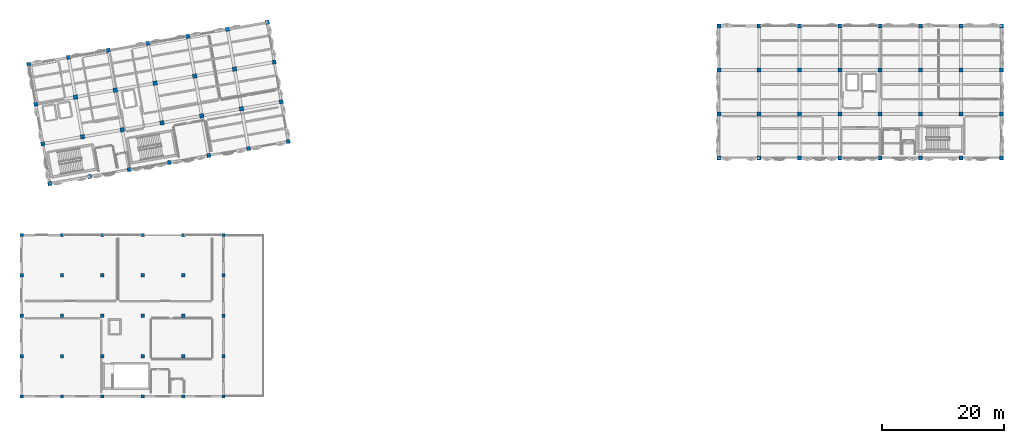
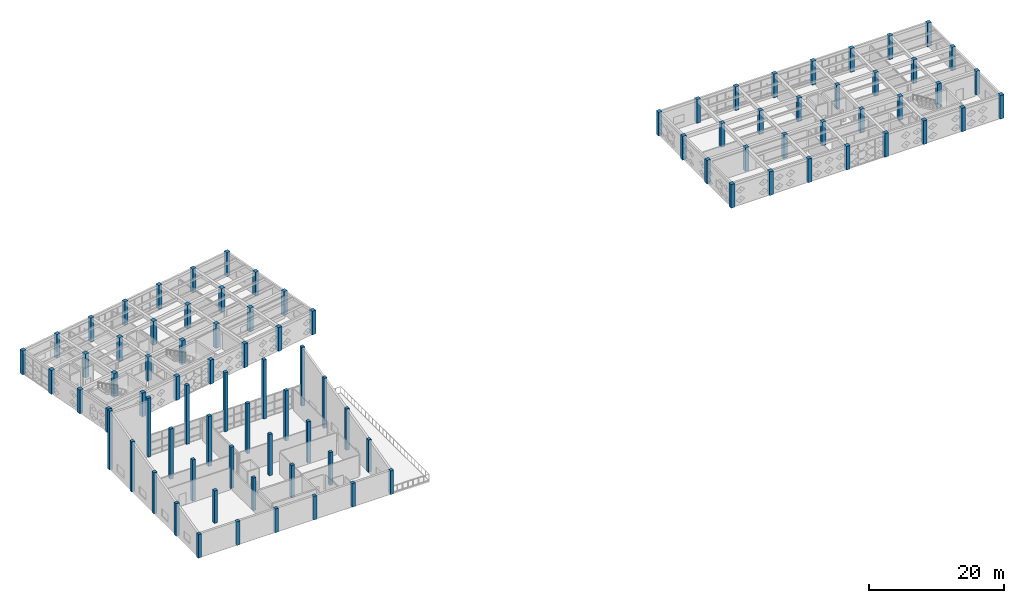
# One storey, part 1 of 39: 90 columns.
"""IFC4 building model written with IfcOpenShell, lengths in metres."""

from ifc_helpers import new_model, si_unit, direction, frame, origin, origin_2d, place, context, subcontext, project, spatial, rectangle, extrude, material, material_profile, profile_set, type_object, element, save


model = new_model("IFC4")

# Units and contexts
model_context = context("Model", 3, precision=1e-05, world=origin(), true_north=direction((0.0, 1.0)))
body_context = subcontext(model_context, "Body", "Model", "MODEL_VIEW")
ifc_project = project(units=[si_unit("LENGTHUNIT", "METRE"), si_unit("AREAUNIT", "SQUARE_METRE"), si_unit("VOLUMEUNIT", "CUBIC_METRE"), si_unit("PLANEANGLEUNIT", "RADIAN"), si_unit("MASSUNIT", "GRAM", prefix="KILO")], contexts=[model_context])

# Site, building, storey
site_placement = place(None, origin())
site = spatial("IfcSite", under=ifc_project, at=site_placement, CompositionType="ELEMENT")
building_placement = place(site_placement, origin())
building = spatial("IfcBuilding", under=site, at=building_placement, Name="Kharisveld Research Institute", CompositionType="ELEMENT")
storey_placement = place(building_placement, frame((0.0, 0.0, 18.60009765625)))
storey = spatial("IfcBuildingStorey", under=building, at=storey_placement, Name="L04", CompositionType="ELEMENT", Elevation=18.60009765625)

# Columns
ifc_material_1 = material(Name="Concrete C40/50", Category="concrete")
ifc_material_profile_1 = material_profile(ifc_material_1, rectangle(XDim=0.550048828125, YDim=0.550048828125, at=origin_2d()))
ifc_profile_set_1 = profile_set([ifc_material_profile_1], Name="Concrete C40/50")
column_type_1 = type_object("IfcColumnType", Name="COL_RC_550", PredefinedType="COLUMN", material=ifc_profile_set_1)
column_1_placement = place(storey_placement, frame((0.60009765625, 0.199951171875, 0.0), z_axis=(0.0, 0.0, 1.0), x_axis=(1.0, 0.0, 0.0)))
element("IfcColumn", 1, at=column_1_placement, inside=storey, type_object=column_type_1, Name="COL:V3:L04:U0V0", PredefinedType="COLUMN", context=body_context, shape_type="SweptSolid", body=[
    extrude(rectangle(XDim=0.550048828125, YDim=0.550048828125, at=origin_2d()), origin(), (0.0, 0.0, 1.0), 4.304931640625),
])
column_2_placement = place(storey_placement, frame((0.60009765625, 6.800048828125, 0.0), z_axis=(0.0, 0.0, 1.0), x_axis=(1.0, 0.0, 0.0)))
element("IfcColumn", 2, at=column_2_placement, inside=storey, type_object=column_type_1, Name="COL:V3:L04:U0V1", PredefinedType="COLUMN", context=body_context, shape_type="SweptSolid", body=[
    extrude(rectangle(XDim=0.550048828125, YDim=0.550048828125, at=origin_2d()), origin(), (0.0, 0.0, 1.0), 5.90478515625),
])
column_3_placement = place(storey_placement, frame((0.60009765625, 13.39990234375, 0.0), z_axis=(0.0, 0.0, 1.0), x_axis=(1.0, 0.0, 0.0)))
element("IfcColumn", 3, at=column_3_placement, inside=storey, type_object=column_type_1, Name="COL:V3:L04:U0V2", PredefinedType="COLUMN", context=body_context, shape_type="SweptSolid", body=[
    extrude(rectangle(XDim=0.550048828125, YDim=0.550048828125, at=origin_2d()), origin(), (0.0, 0.0, 1.0), 7.5048828125),
])
column_4_placement = place(storey_placement, frame((0.60009765625, 20.0, 0.0), z_axis=(0.0, 0.0, 1.0), x_axis=(1.0, 0.0, 0.0)))
element("IfcColumn", 4, at=column_4_placement, inside=storey, type_object=column_type_1, Name="COL:V3:L04:U0V3", PredefinedType="COLUMN", context=body_context, shape_type="SweptSolid", body=[
    extrude(rectangle(XDim=0.550048828125, YDim=0.550048828125, at=origin_2d()), origin(), (0.0, 0.0, 1.0), 9.10498046875),
])
column_5_placement = place(storey_placement, frame((0.60009765625, 26.60009765625, 0.0), z_axis=(0.0, 0.0, 1.0), x_axis=(1.0, 0.0, 0.0)))
element("IfcColumn", 5, at=column_5_placement, inside=storey, type_object=column_type_1, Name="COL:V3:L04:U0V4", PredefinedType="COLUMN", context=body_context, shape_type="SweptSolid", body=[
    extrude(rectangle(XDim=0.550048828125, YDim=0.550048828125, at=origin_2d()), origin(), (0.0, 0.0, 1.0), 10.704833984375),
])
column_6_placement = place(storey_placement, frame((7.199951171875, 0.199951171875, 0.0), z_axis=(0.0, 0.0, 1.0), x_axis=(1.0, 0.0, 0.0)))
element("IfcColumn", 6, at=column_6_placement, inside=storey, type_object=column_type_1, Name="COL:V3:L04:U1V0", PredefinedType="COLUMN", context=body_context, shape_type="SweptSolid", body=[
    extrude(rectangle(XDim=0.550048828125, YDim=0.550048828125, at=origin_2d()), origin(), (0.0, 0.0, 1.0), 4.304931640625),
])
column_7_placement = place(storey_placement, frame((7.199951171875, 6.800048828125, 0.0), z_axis=(0.0, 0.0, 1.0), x_axis=(1.0, 0.0, 0.0)))
element("IfcColumn", 7, at=column_7_placement, inside=storey, type_object=column_type_1, Name="COL:V3:L04:U1V1", PredefinedType="COLUMN", context=body_context, shape_type="SweptSolid", body=[
    extrude(rectangle(XDim=0.550048828125, YDim=0.550048828125, at=origin_2d()), origin(), (0.0, 0.0, 1.0), 5.90478515625),
])
column_8_placement = place(storey_placement, frame((7.199951171875, 13.39990234375, 0.0), z_axis=(0.0, 0.0, 1.0), x_axis=(1.0, 0.0, 0.0)))
element("IfcColumn", 8, at=column_8_placement, inside=storey, type_object=column_type_1, Name="COL:V3:L04:U1V2", PredefinedType="COLUMN", context=body_context, shape_type="SweptSolid", body=[
    extrude(rectangle(XDim=0.550048828125, YDim=0.550048828125, at=origin_2d()), origin(), (0.0, 0.0, 1.0), 7.5048828125),
])
column_9_placement = place(storey_placement, frame((7.199951171875, 20.0, 0.0), z_axis=(0.0, 0.0, 1.0), x_axis=(1.0, 0.0, 0.0)))
element("IfcColumn", 9, at=column_9_placement, inside=storey, type_object=column_type_1, Name="COL:V3:L04:U1V3", PredefinedType="COLUMN", context=body_context, shape_type="SweptSolid", body=[
    extrude(rectangle(XDim=0.550048828125, YDim=0.550048828125, at=origin_2d()), origin(), (0.0, 0.0, 1.0), 9.10498046875),
])
column_10_placement = place(storey_placement, frame((7.199951171875, 26.60009765625, 0.0), z_axis=(0.0, 0.0, 1.0), x_axis=(1.0, 0.0, 0.0)))
element("IfcColumn", 10, at=column_10_placement, inside=storey, type_object=column_type_1, Name="COL:V3:L04:U1V4", PredefinedType="COLUMN", context=body_context, shape_type="SweptSolid", body=[
    extrude(rectangle(XDim=0.550048828125, YDim=0.550048828125, at=origin_2d()), origin(), (0.0, 0.0, 1.0), 10.704833984375),
])
column_11_placement = place(storey_placement, frame((13.800048828125, 0.199951171875, 0.0), z_axis=(0.0, 0.0, 1.0), x_axis=(1.0, 0.0, 0.0)))
element("IfcColumn", 11, at=column_11_placement, inside=storey, type_object=column_type_1, Name="COL:V3:L04:U2V0", PredefinedType="COLUMN", context=body_context, shape_type="SweptSolid", body=[
    extrude(rectangle(XDim=0.550048828125, YDim=0.550048828125, at=origin_2d()), origin(), (0.0, 0.0, 1.0), 4.304931640625),
])
column_12_placement = place(storey_placement, frame((13.800048828125, 6.800048828125, 0.0), z_axis=(0.0, 0.0, 1.0), x_axis=(1.0, 0.0, 0.0)))
element("IfcColumn", 12, at=column_12_placement, inside=storey, type_object=column_type_1, Name="COL:V3:L04:U2V1", PredefinedType="COLUMN", context=body_context, shape_type="SweptSolid", body=[
    extrude(rectangle(XDim=0.550048828125, YDim=0.550048828125, at=origin_2d()), origin(), (0.0, 0.0, 1.0), 5.90478515625),
])
column_13_placement = place(storey_placement, frame((13.800048828125, 13.39990234375, 0.0), z_axis=(0.0, 0.0, 1.0), x_axis=(1.0, 0.0, 0.0)))
element("IfcColumn", 13, at=column_13_placement, inside=storey, type_object=column_type_1, Name="COL:V3:L04:U2V2", PredefinedType="COLUMN", context=body_context, shape_type="SweptSolid", body=[
    extrude(rectangle(XDim=0.550048828125, YDim=0.550048828125, at=origin_2d()), origin(), (0.0, 0.0, 1.0), 7.5048828125),
])
column_14_placement = place(storey_placement, frame((13.800048828125, 20.0, 0.0), z_axis=(0.0, 0.0, 1.0), x_axis=(1.0, 0.0, 0.0)))
element("IfcColumn", 14, at=column_14_placement, inside=storey, type_object=column_type_1, Name="COL:V3:L04:U2V3", PredefinedType="COLUMN", context=body_context, shape_type="SweptSolid", body=[
    extrude(rectangle(XDim=0.550048828125, YDim=0.550048828125, at=origin_2d()), origin(), (0.0, 0.0, 1.0), 9.10498046875),
])
column_15_placement = place(storey_placement, frame((13.800048828125, 26.60009765625, 0.0), z_axis=(0.0, 0.0, 1.0), x_axis=(1.0, 0.0, 0.0)))
element("IfcColumn", 15, at=column_15_placement, inside=storey, type_object=column_type_1, Name="COL:V3:L04:U2V4", PredefinedType="COLUMN", context=body_context, shape_type="SweptSolid", body=[
    extrude(rectangle(XDim=0.550048828125, YDim=0.550048828125, at=origin_2d()), origin(), (0.0, 0.0, 1.0), 10.704833984375),
])
column_16_placement = place(storey_placement, frame((20.39990234375, 0.199951171875, 0.0), z_axis=(0.0, 0.0, 1.0), x_axis=(1.0, 0.0, 0.0)))
element("IfcColumn", 16, at=column_16_placement, inside=storey, type_object=column_type_1, Name="COL:V3:L04:U3V0", PredefinedType="COLUMN", context=body_context, shape_type="SweptSolid", body=[
    extrude(rectangle(XDim=0.550048828125, YDim=0.550048828125, at=origin_2d()), origin(), (0.0, 0.0, 1.0), 4.304931640625),
])
column_17_placement = place(storey_placement, frame((20.39990234375, 6.800048828125, 0.0), z_axis=(0.0, 0.0, 1.0), x_axis=(1.0, 0.0, 0.0)))
element("IfcColumn", 17, at=column_17_placement, inside=storey, type_object=column_type_1, Name="COL:V3:L04:U3V1", PredefinedType="COLUMN", context=body_context, shape_type="SweptSolid", body=[
    extrude(rectangle(XDim=0.550048828125, YDim=0.550048828125, at=origin_2d()), origin(), (0.0, 0.0, 1.0), 5.90478515625),
])
column_18_placement = place(storey_placement, frame((20.39990234375, 13.39990234375, 0.0), z_axis=(0.0, 0.0, 1.0), x_axis=(1.0, 0.0, 0.0)))
element("IfcColumn", 18, at=column_18_placement, inside=storey, type_object=column_type_1, Name="COL:V3:L04:U3V2", PredefinedType="COLUMN", context=body_context, shape_type="SweptSolid", body=[
    extrude(rectangle(XDim=0.550048828125, YDim=0.550048828125, at=origin_2d()), origin(), (0.0, 0.0, 1.0), 7.5048828125),
])
column_19_placement = place(storey_placement, frame((20.39990234375, 20.0, 0.0), z_axis=(0.0, 0.0, 1.0), x_axis=(1.0, 0.0, 0.0)))
element("IfcColumn", 19, at=column_19_placement, inside=storey, type_object=column_type_1, Name="COL:V3:L04:U3V3", PredefinedType="COLUMN", context=body_context, shape_type="SweptSolid", body=[
    extrude(rectangle(XDim=0.550048828125, YDim=0.550048828125, at=origin_2d()), origin(), (0.0, 0.0, 1.0), 9.10498046875),
])
column_20_placement = place(storey_placement, frame((20.39990234375, 26.60009765625, 0.0), z_axis=(0.0, 0.0, 1.0), x_axis=(1.0, 0.0, 0.0)))
element("IfcColumn", 20, at=column_20_placement, inside=storey, type_object=column_type_1, Name="COL:V3:L04:U3V4", PredefinedType="COLUMN", context=body_context, shape_type="SweptSolid", body=[
    extrude(rectangle(XDim=0.550048828125, YDim=0.550048828125, at=origin_2d()), origin(), (0.0, 0.0, 1.0), 10.704833984375),
])
column_21_placement = place(storey_placement, frame((27.0, 0.199951171875, 0.0), z_axis=(0.0, 0.0, 1.0), x_axis=(1.0, 0.0, 0.0)))
element("IfcColumn", 21, at=column_21_placement, inside=storey, type_object=column_type_1, Name="COL:V3:L04:U4V0", PredefinedType="COLUMN", context=body_context, shape_type="SweptSolid", body=[
    extrude(rectangle(XDim=0.550048828125, YDim=0.550048828125, at=origin_2d()), origin(), (0.0, 0.0, 1.0), 4.304931640625),
])
column_22_placement = place(storey_placement, frame((27.0, 6.800048828125, 0.0), z_axis=(0.0, 0.0, 1.0), x_axis=(1.0, 0.0, 0.0)))
element("IfcColumn", 22, at=column_22_placement, inside=storey, type_object=column_type_1, Name="COL:V3:L04:U4V1", PredefinedType="COLUMN", context=body_context, shape_type="SweptSolid", body=[
    extrude(rectangle(XDim=0.550048828125, YDim=0.550048828125, at=origin_2d()), origin(), (0.0, 0.0, 1.0), 5.90478515625),
])
column_23_placement = place(storey_placement, frame((27.0, 13.39990234375, 0.0), z_axis=(0.0, 0.0, 1.0), x_axis=(1.0, 0.0, 0.0)))
element("IfcColumn", 23, at=column_23_placement, inside=storey, type_object=column_type_1, Name="COL:V3:L04:U4V2", PredefinedType="COLUMN", context=body_context, shape_type="SweptSolid", body=[
    extrude(rectangle(XDim=0.550048828125, YDim=0.550048828125, at=origin_2d()), origin(), (0.0, 0.0, 1.0), 7.5048828125),
])
column_24_placement = place(storey_placement, frame((27.0, 20.0, 0.0), z_axis=(0.0, 0.0, 1.0), x_axis=(1.0, 0.0, 0.0)))
element("IfcColumn", 24, at=column_24_placement, inside=storey, type_object=column_type_1, Name="COL:V3:L04:U4V3", PredefinedType="COLUMN", context=body_context, shape_type="SweptSolid", body=[
    extrude(rectangle(XDim=0.550048828125, YDim=0.550048828125, at=origin_2d()), origin(), (0.0, 0.0, 1.0), 9.10498046875),
])
column_25_placement = place(storey_placement, frame((27.0, 26.60009765625, 0.0), z_axis=(0.0, 0.0, 1.0), x_axis=(1.0, 0.0, 0.0)))
element("IfcColumn", 25, at=column_25_placement, inside=storey, type_object=column_type_1, Name="COL:V3:L04:U4V4", PredefinedType="COLUMN", context=body_context, shape_type="SweptSolid", body=[
    extrude(rectangle(XDim=0.550048828125, YDim=0.550048828125, at=origin_2d()), origin(), (0.0, 0.0, 1.0), 10.704833984375),
])
column_26_placement = place(storey_placement, frame((33.60009765625, 0.199951171875, 0.0), z_axis=(0.0, 0.0, 1.0), x_axis=(1.0, 0.0, 0.0)))
element("IfcColumn", 26, at=column_26_placement, inside=storey, type_object=column_type_1, Name="COL:V3:L04:U5V0", PredefinedType="COLUMN", context=body_context, shape_type="SweptSolid", body=[
    extrude(rectangle(XDim=0.550048828125, YDim=0.550048828125, at=origin_2d()), origin(), (0.0, 0.0, 1.0), 4.304931640625),
])
column_27_placement = place(storey_placement, frame((33.60009765625, 6.800048828125, 0.0), z_axis=(0.0, 0.0, 1.0), x_axis=(1.0, 0.0, 0.0)))
element("IfcColumn", 27, at=column_27_placement, inside=storey, type_object=column_type_1, Name="COL:V3:L04:U5V1", PredefinedType="COLUMN", context=body_context, shape_type="SweptSolid", body=[
    extrude(rectangle(XDim=0.550048828125, YDim=0.550048828125, at=origin_2d()), origin(), (0.0, 0.0, 1.0), 5.90478515625),
])
column_28_placement = place(storey_placement, frame((33.60009765625, 13.39990234375, 0.0), z_axis=(0.0, 0.0, 1.0), x_axis=(1.0, 0.0, 0.0)))
element("IfcColumn", 28, at=column_28_placement, inside=storey, type_object=column_type_1, Name="COL:V3:L04:U5V2", PredefinedType="COLUMN", context=body_context, shape_type="SweptSolid", body=[
    extrude(rectangle(XDim=0.550048828125, YDim=0.550048828125, at=origin_2d()), origin(), (0.0, 0.0, 1.0), 7.5048828125),
])
column_29_placement = place(storey_placement, frame((33.60009765625, 20.0, 0.0), z_axis=(0.0, 0.0, 1.0), x_axis=(1.0, 0.0, 0.0)))
element("IfcColumn", 29, at=column_29_placement, inside=storey, type_object=column_type_1, Name="COL:V3:L04:U5V3", PredefinedType="COLUMN", context=body_context, shape_type="SweptSolid", body=[
    extrude(rectangle(XDim=0.550048828125, YDim=0.550048828125, at=origin_2d()), origin(), (0.0, 0.0, 1.0), 9.10498046875),
])
column_30_placement = place(storey_placement, frame((33.60009765625, 26.60009765625, 0.0), z_axis=(0.0, 0.0, 1.0), x_axis=(1.0, 0.0, 0.0)))
element("IfcColumn", 30, at=column_30_placement, inside=storey, type_object=column_type_1, Name="COL:V3:L04:U5V4", PredefinedType="COLUMN", context=body_context, shape_type="SweptSolid", body=[
    extrude(rectangle(XDim=0.550048828125, YDim=0.550048828125, at=origin_2d()), origin(), (0.0, 0.0, 1.0), 10.704833984375),
])
ifc_material_2 = material(Name="Concrete C40/50", Category="concrete")
ifc_material_profile_2 = material_profile(ifc_material_2, rectangle(XDim=0.64990234375, YDim=0.64990234375, at=origin_2d()))
ifc_profile_set_2 = profile_set([ifc_material_profile_2], Name="Concrete C40/50")
column_type_2 = type_object("IfcColumnType", Name="COL_RC_650", PredefinedType="COLUMN", material=ifc_profile_set_2)
for number, where, z_axis, x_axis, name in (
    (31, (5.199951171875, 35.010009765625, 0.0), (0.0, 0.0, 1.0), (0.984807753012, 0.173648177667, 0.0), "COL:V1:L04:U0V0"),
    (32, (4.053955078125, 41.509765625, 0.0), (0.0, 0.0, 1.0), (0.984807753012, 0.173648177667, 0.0), "COL:V1:L04:U0V1"),
    (33, (2.907958984375, 48.009521484375, 0.0), (0.0, 0.0, 1.0), (0.984807753012, 0.173648177667, 0.0), "COL:V1:L04:U0V2"),
    (34, (1.76171875, 54.50927734375, 0.0), (0.0, 0.0, 1.0), (0.984807753012, 0.173648177667, 0.0), "COL:V1:L04:U0V3"),
    (35, (11.69970703125, 36.156005859375, 0.0), (0.0, 0.0, 1.0), (0.984807753012, 0.173648177667, 0.0), "COL:V1:L04:U1V0"),
    (36, (8.261474609375, 55.6552734375, 0.0), (0.0, 0.0, 1.0), (0.984807753012, 0.173648177667, 0.0), "COL:V1:L04:U1V3"),
    (37, (18.199462890625, 37.30224609375, 0.0), (0.0, 0.0, 1.0), (0.984807753012, 0.173648177667, 0.0), "COL:V1:L04:U2V0"),
    (38, (14.76123046875, 56.80126953125, 0.0), (0.0, 0.0, 1.0), (0.984807753012, 0.173648177667, 0.0), "COL:V1:L04:U2V3"),
    (39, (24.69921875, 38.4482421875, 0.0), (0.0, 0.0, 1.0), (0.984807753012, 0.173648177667, 0.0), "COL:V1:L04:U3V0"),
    (40, (21.260986328125, 57.947509765625, 0.0), (0.0, 0.0, 1.0), (0.984807753012, 0.173648177667, 0.0), "COL:V1:L04:U3V3"),
    (41, (31.198974609375, 39.59423828125, 0.0), (0.0, 0.0, 1.0), (0.984807753012, 0.173648177667, 0.0), "COL:V1:L04:U4V0"),
    (42, (27.7607421875, 59.093505859375, 0.0), (0.0, 0.0, 1.0), (0.984807753012, 0.173648177667, 0.0), "COL:V1:L04:U4V3"),
    (43, (37.69873046875, 40.740478515625, 0.0), (0.0, 0.0, 1.0), (0.984807753012, 0.173648177667, 0.0), "COL:V1:L04:U5V0"),
    (44, (34.260498046875, 60.239501953125, 0.0), (0.0, 0.0, 1.0), (0.984807753012, 0.173648177667, 0.0), "COL:V1:L04:U5V3"),
    (45, (44.198486328125, 41.886474609375, 0.0), (0.0, 0.0, 1.0), (0.984807753012, 0.173648177667, 0.0), "COL:V1:L04:U6V0"),
    (46, (43.05224609375, 48.38623046875, 0.0), (0.0, 0.0, 1.0), (0.984807753012, 0.173648177667, 0.0), "COL:V1:L04:U6V1"),
    (47, (41.90625, 54.885986328125, 0.0), (0.0, 0.0, 1.0), (0.984807753012, 0.173648177667, 0.0), "COL:V1:L04:U6V2"),
    (48, (40.76025390625, 61.3857421875, 0.0), (0.0, 0.0, 1.0), (0.984807753012, 0.173648177667, 0.0), "COL:V1:L04:U6V3"),
):
    element("IfcColumn", number, at=place(storey_placement, frame(where, z_axis=z_axis, x_axis=x_axis)), inside=storey, type_object=column_type_2, Name=name, PredefinedType="COLUMN", context=body_context, shape_type="SweptSolid", body=[
        extrude(rectangle(XDim=0.64990234375, YDim=0.64990234375, at=origin_2d()), origin(), (0.0, 0.0, 1.0), 4.31982421875),
    ])
for number, where, z_axis, x_axis, name in (
    (49, (114.60009765625, 39.199951171875, 0.0), (0.0, 0.0, 1.0), (1.0, 0.0, 0.0), "COL:V2:L04:U0V0"),
    (50, (114.60009765625, 46.39990234375, 0.0), (0.0, 0.0, 1.0), (1.0, 0.0, 0.0), "COL:V2:L04:U0V1"),
    (51, (114.60009765625, 53.60009765625, 0.0), (0.0, 0.0, 1.0), (1.0, 0.0, 0.0), "COL:V2:L04:U0V2"),
    (52, (114.60009765625, 60.800048828125, 0.0), (0.0, 0.0, 1.0), (1.0, 0.0, 0.0), "COL:V2:L04:U0V3"),
    (53, (121.199951171875, 39.199951171875, 0.0), (0.0, 0.0, 1.0), (1.0, 0.0, 0.0), "COL:V2:L04:U1V0"),
    (54, (121.199951171875, 46.39990234375, 0.0), (0.0, 0.0, 1.0), (1.0, 0.0, 0.0), "COL:V2:L04:U1V1"),
    (55, (121.199951171875, 53.60009765625, 0.0), (0.0, 0.0, 1.0), (1.0, 0.0, 0.0), "COL:V2:L04:U1V2"),
    (56, (121.199951171875, 60.800048828125, 0.0), (0.0, 0.0, 1.0), (1.0, 0.0, 0.0), "COL:V2:L04:U1V3"),
    (57, (127.800048828125, 39.199951171875, 0.0), (0.0, 0.0, 1.0), (1.0, 0.0, 0.0), "COL:V2:L04:U2V0"),
    (58, (127.800048828125, 46.39990234375, 0.0), (0.0, 0.0, 1.0), (1.0, 0.0, 0.0), "COL:V2:L04:U2V1"),
    (59, (127.800048828125, 53.60009765625, 0.0), (0.0, 0.0, 1.0), (1.0, 0.0, 0.0), "COL:V2:L04:U2V2"),
    (60, (127.800048828125, 60.800048828125, 0.0), (0.0, 0.0, 1.0), (1.0, 0.0, 0.0), "COL:V2:L04:U2V3"),
    (61, (134.39990234375, 39.199951171875, 0.0), (0.0, 0.0, 1.0), (1.0, 0.0, 0.0), "COL:V2:L04:U3V0"),
    (62, (134.39990234375, 46.39990234375, 0.0), (0.0, 0.0, 1.0), (1.0, 0.0, 0.0), "COL:V2:L04:U3V1"),
    (63, (134.39990234375, 53.60009765625, 0.0), (0.0, 0.0, 1.0), (1.0, 0.0, 0.0), "COL:V2:L04:U3V2"),
    (64, (134.39990234375, 60.800048828125, 0.0), (0.0, 0.0, 1.0), (1.0, 0.0, 0.0), "COL:V2:L04:U3V3"),
    (65, (141.0, 39.199951171875, 0.0), (0.0, 0.0, 1.0), (1.0, 0.0, 0.0), "COL:V2:L04:U4V0"),
    (66, (141.0, 46.39990234375, 0.0), (0.0, 0.0, 1.0), (1.0, 0.0, 0.0), "COL:V2:L04:U4V1"),
    (67, (141.0, 53.60009765625, 0.0), (0.0, 0.0, 1.0), (1.0, 0.0, 0.0), "COL:V2:L04:U4V2"),
    (68, (141.0, 60.800048828125, 0.0), (0.0, 0.0, 1.0), (1.0, 0.0, 0.0), "COL:V2:L04:U4V3"),
    (69, (147.60009765625, 39.199951171875, 0.0), (0.0, 0.0, 1.0), (1.0, 0.0, 0.0), "COL:V2:L04:U5V0"),
    (70, (147.60009765625, 46.39990234375, 0.0), (0.0, 0.0, 1.0), (1.0, 0.0, 0.0), "COL:V2:L04:U5V1"),
    (71, (147.60009765625, 53.60009765625, 0.0), (0.0, 0.0, 1.0), (1.0, 0.0, 0.0), "COL:V2:L04:U5V2"),
    (72, (147.60009765625, 60.800048828125, 0.0), (0.0, 0.0, 1.0), (1.0, 0.0, 0.0), "COL:V2:L04:U5V3"),
    (73, (154.199951171875, 39.199951171875, 0.0), (0.0, 0.0, 1.0), (1.0, 0.0, 0.0), "COL:V2:L04:U6V0"),
    (74, (154.199951171875, 46.39990234375, 0.0), (0.0, 0.0, 1.0), (1.0, 0.0, 0.0), "COL:V2:L04:U6V1"),
    (75, (154.199951171875, 53.60009765625, 0.0), (0.0, 0.0, 1.0), (1.0, 0.0, 0.0), "COL:V2:L04:U6V2"),
    (76, (154.199951171875, 60.800048828125, 0.0), (0.0, 0.0, 1.0), (1.0, 0.0, 0.0), "COL:V2:L04:U6V3"),
    (77, (160.800048828125, 39.199951171875, 0.0), (0.0, 0.0, 1.0), (1.0, 0.0, 0.0), "COL:V2:L04:U7V0"),
    (78, (160.800048828125, 46.39990234375, 0.0), (0.0, 0.0, 1.0), (1.0, 0.0, 0.0), "COL:V2:L04:U7V1"),
    (79, (160.800048828125, 53.60009765625, 0.0), (0.0, 0.0, 1.0), (1.0, 0.0, 0.0), "COL:V2:L04:U7V2"),
    (80, (160.800048828125, 60.800048828125, 0.0), (0.0, 0.0, 1.0), (1.0, 0.0, 0.0), "COL:V2:L04:U7V3"),
):
    element("IfcColumn", number, at=place(storey_placement, frame(where, z_axis=z_axis, x_axis=x_axis)), inside=storey, type_object=column_type_2, Name=name, PredefinedType="COLUMN", context=body_context, shape_type="SweptSolid", body=[
        extrude(rectangle(XDim=0.64990234375, YDim=0.64990234375, at=origin_2d()), origin(), (0.0, 0.0, 1.0), 4.2998046875),
    ])
ifc_material_3 = material(Name="Concrete C40/50", Category="concrete")
ifc_material_profile_3 = material_profile(ifc_material_3, rectangle(XDim=0.699951171875, YDim=0.699951171875, at=origin_2d()))
ifc_profile_set_3 = profile_set([ifc_material_profile_3], Name="Concrete C40/50")
column_type_3 = type_object("IfcColumnType", Name="COL_RC_700", PredefinedType="COLUMN", material=ifc_profile_set_3)
for number, where, z_axis, x_axis, name in (
    (81, (10.5537109375, 42.65576171875, 0.0), (0.0, 0.0, 1.0), (0.984807753012, 0.173648177667, 0.0), "COL:V1:L04:U1V1"),
    (82, (9.407470703125, 49.155517578125, 0.0), (0.0, 0.0, 1.0), (0.984807753012, 0.173648177667, 0.0), "COL:V1:L04:U1V2"),
    (83, (17.053466796875, 43.802001953125, 0.0), (0.0, 0.0, 1.0), (0.984807753012, 0.173648177667, 0.0), "COL:V1:L04:U2V1"),
    (84, (15.9072265625, 50.301513671875, 0.0), (0.0, 0.0, 1.0), (0.984807753012, 0.173648177667, 0.0), "COL:V1:L04:U2V2"),
    (85, (23.55322265625, 44.947998046875, 0.0), (0.0, 0.0, 1.0), (0.984807753012, 0.173648177667, 0.0), "COL:V1:L04:U3V1"),
    (86, (22.406982421875, 51.44775390625, 0.0), (0.0, 0.0, 1.0), (0.984807753012, 0.173648177667, 0.0), "COL:V1:L04:U3V2"),
    (87, (30.052734375, 46.093994140625, 0.0), (0.0, 0.0, 1.0), (0.984807753012, 0.173648177667, 0.0), "COL:V1:L04:U4V1"),
    (88, (28.90673828125, 52.59375, 0.0), (0.0, 0.0, 1.0), (0.984807753012, 0.173648177667, 0.0), "COL:V1:L04:U4V2"),
    (89, (36.552490234375, 47.240234375, 0.0), (0.0, 0.0, 1.0), (0.984807753012, 0.173648177667, 0.0), "COL:V1:L04:U5V1"),
    (90, (35.406494140625, 53.73974609375, 0.0), (0.0, 0.0, 1.0), (0.984807753012, 0.173648177667, 0.0), "COL:V1:L04:U5V2"),
):
    element("IfcColumn", number, at=place(storey_placement, frame(where, z_axis=z_axis, x_axis=x_axis)), inside=storey, type_object=column_type_3, Name=name, PredefinedType="COLUMN", context=body_context, shape_type="SweptSolid", body=[
        extrude(rectangle(XDim=0.699951171875, YDim=0.699951171875, at=origin_2d()), origin(), (0.0, 0.0, 1.0), 4.31982421875),
    ])

save(model, "model.ifc")
